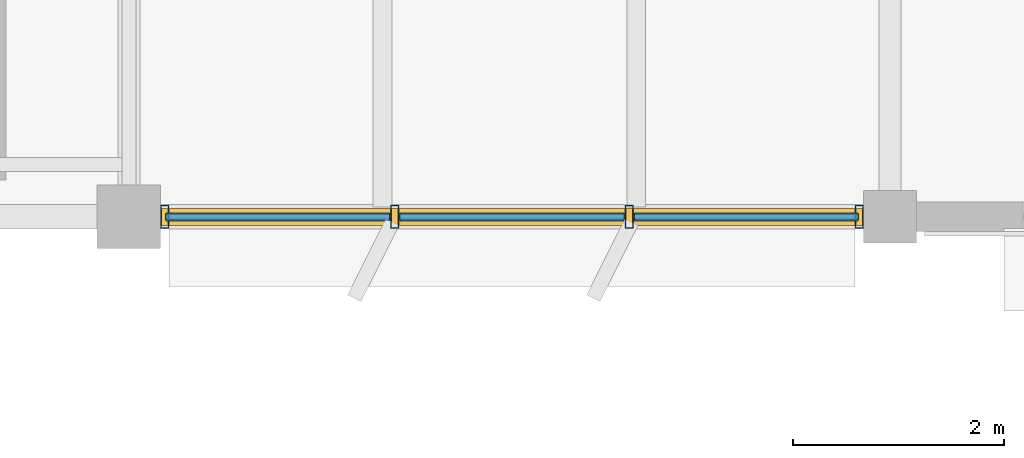
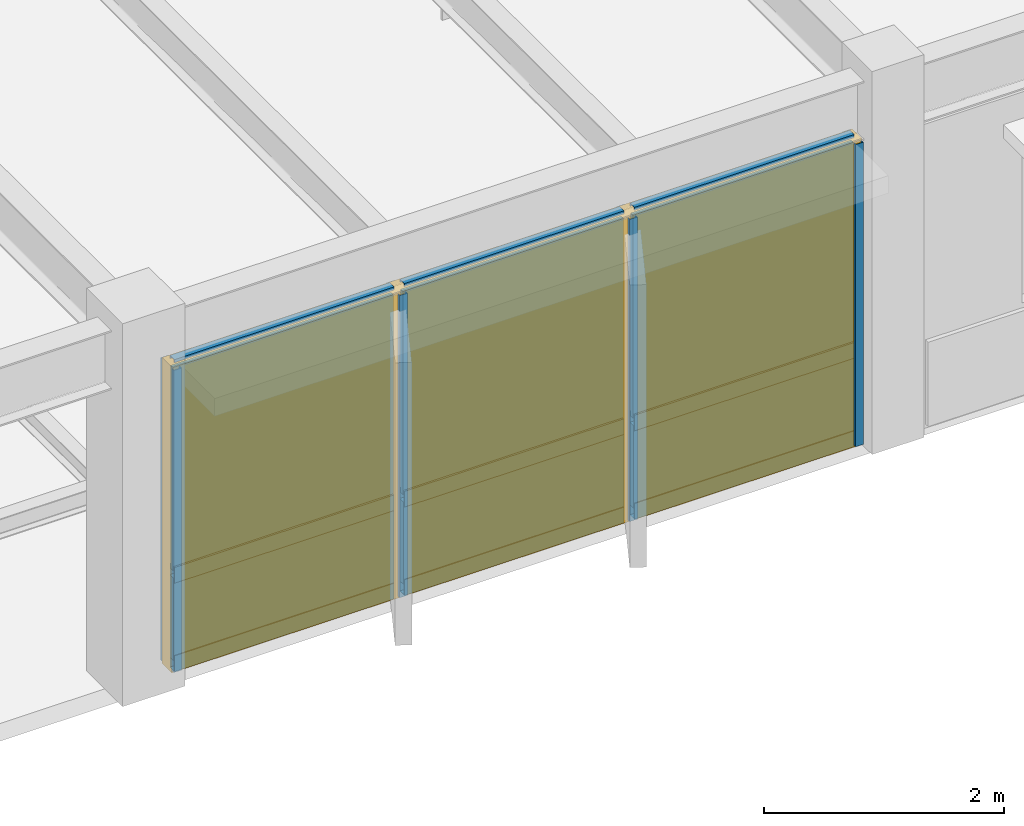
# One storey, part 61 of 82: 13 members, 6 plates, 1 curtain wall.
"""IFC4 building model written with IfcOpenShell, lengths in metres."""

from ifc_helpers import new_model, si_unit, direction, frame, origin, origin_2d, place, context, subcontext, project, spatial, rectangle, hollow_rectangle, extrude, material, layer, layer_set, material_profile, profile_set, type_object, element, aggregate, save


model = new_model("IFC4")

# Units and contexts
model_context = context("Model", 3, precision=1e-05, world=origin(), true_north=direction((0.0, 1.0)))
body_context = subcontext(model_context, "Body", "Model", "MODEL_VIEW")
ifc_project = project(units=[si_unit("LENGTHUNIT", "METRE"), si_unit("AREAUNIT", "SQUARE_METRE"), si_unit("VOLUMEUNIT", "CUBIC_METRE"), si_unit("PLANEANGLEUNIT", "RADIAN"), si_unit("MASSUNIT", "GRAM", prefix="KILO")], contexts=[model_context])

# Member
ifc_material_1 = material(Name="Anodized Aluminium 6063-T6", Category="aluminium")
ifc_material_profile_1 = material_profile(ifc_material_1, hollow_rectangle(XDim=0.074951171875, YDim=0.219970703125, WallThickness=0.0048828125, at=origin_2d()), Name="ALU 75x220x5")
ifc_profile_set_1 = profile_set([ifc_material_profile_1], Name="Anodized Aluminium 6063-T6")
member_type_1 = type_object("IfcMemberType", Name="CWM-75X180", PredefinedType="MULLION", material=ifc_profile_set_1)
site_placement = place(None, origin())
building_placement = place(site_placement, origin())
storey_placement = place(building_placement, frame((0.0, 0.0, 14.10009765625)))
member_1_placement = place(storey_placement, frame((100.510009765625, 79.199951171875, 0.02001953125), z_axis=(0.0, 0.0, 1.0), x_axis=(1.0, 0.0, 0.0)))
member_1 = element("IfcMember", 1, at=member_1_placement, type_object=member_type_1, Name="Curtain wall mullion CW-L04-13-11-S-00", PredefinedType="MULLION", context=body_context, shape_type="SweptSolid", body=[
    extrude(hollow_rectangle(XDim=0.074951171875, YDim=0.219970703125, WallThickness=0.0048828125, at=origin_2d()), origin(), (0.0, 0.0, 1.0), 3.077880859375),
])

member_2_placement = place(storey_placement, frame((98.333251953125, 79.199951171875, 0.02001953125), z_axis=(0.0, 0.0, 1.0), x_axis=(1.0, 0.0, 0.0)))
member_2 = element("IfcMember", 2, at=member_2_placement, type_object=member_type_1, Name="Curtain wall mullion CW-L04-13-11-S-01", PredefinedType="MULLION", context=body_context, shape_type="SweptSolid", body=[
    extrude(hollow_rectangle(XDim=0.074951171875, YDim=0.219970703125, WallThickness=0.0048828125, at=origin_2d()), origin(), (0.0, 0.0, 1.0), 3.077880859375),
])

member_3_placement = place(storey_placement, frame((96.11669921875, 79.199951171875, 0.02001953125), z_axis=(0.0, 0.0, 1.0), x_axis=(1.0, 0.0, 0.0)))
member_3 = element("IfcMember", 3, at=member_3_placement, type_object=member_type_1, Name="Curtain wall mullion CW-L04-13-11-S-02", PredefinedType="MULLION", context=body_context, shape_type="SweptSolid", body=[
    extrude(hollow_rectangle(XDim=0.074951171875, YDim=0.219970703125, WallThickness=0.0048828125, at=origin_2d()), origin(), (0.0, 0.0, 1.0), 3.077880859375),
])

member_4_placement = place(storey_placement, frame((93.93994140625, 79.199951171875, 0.02001953125), z_axis=(0.0, 0.0, 1.0), x_axis=(1.0, 0.0, 0.0)))
member_4 = element("IfcMember", 4, at=member_4_placement, type_object=member_type_1, Name="Curtain wall mullion CW-L04-13-11-S-03", PredefinedType="MULLION", context=body_context, shape_type="SweptSolid", body=[
    extrude(hollow_rectangle(XDim=0.074951171875, YDim=0.219970703125, WallThickness=0.0048828125, at=origin_2d()), origin(), (0.0, 0.0, 1.0), 3.077880859375),
])

ifc_material_profile_2 = material_profile(ifc_material_1, hollow_rectangle(XDim=0.074951171875, YDim=0.159912109375, WallThickness=0.00390625, at=origin_2d()), Name="ALU 75x160x4")
ifc_profile_set_2 = profile_set([ifc_material_profile_2], Name="Anodized Aluminium 6063-T6")
member_type_2 = type_object("IfcMemberType", Name="CWT-75X150", PredefinedType="USERDEFINED", material=ifc_profile_set_2)
member_5_placement = place(storey_placement, frame((100.5, 79.199951171875, 0.0498046875), z_axis=(-1.0, 0.0, 0.0), x_axis=(0.0, -1.0, 0.0)))
member_5 = element("IfcMember", 5, at=member_5_placement, type_object=member_type_2, Name="Curtain wall transom CW-L04-13-11-S-1.01", ObjectType="TRANSOM", PredefinedType="USERDEFINED", context=body_context, shape_type="SweptSolid", body=[
    extrude(hollow_rectangle(XDim=0.074951171875, YDim=0.159912109375, WallThickness=0.00390625, at=origin_2d()), origin(), (0.0, 0.0, 1.0), 2.11669921875),
])

member_6_placement = place(storey_placement, frame((98.283203125, 79.199951171875, 0.0498046875), z_axis=(-1.0, 0.0, 0.0), x_axis=(0.0, -1.0, 0.0)))
member_6 = element("IfcMember", 6, at=member_6_placement, type_object=member_type_2, Name="Curtain wall transom CW-L04-13-11-S-1.02", ObjectType="TRANSOM", PredefinedType="USERDEFINED", context=body_context, shape_type="SweptSolid", body=[
    extrude(hollow_rectangle(XDim=0.074951171875, YDim=0.159912109375, WallThickness=0.00390625, at=origin_2d()), origin(), (0.0, 0.0, 1.0), 2.116455078125),
])

member_7_placement = place(storey_placement, frame((96.066650390625, 79.199951171875, 0.0498046875), z_axis=(-1.0, 0.0, 0.0), x_axis=(0.0, -1.0, 0.0)))
member_7 = element("IfcMember", 7, at=member_7_placement, type_object=member_type_2, Name="Curtain wall transom CW-L04-13-11-S-1.03", ObjectType="TRANSOM", PredefinedType="USERDEFINED", context=body_context, shape_type="SweptSolid", body=[
    extrude(hollow_rectangle(XDim=0.074951171875, YDim=0.159912109375, WallThickness=0.00390625, at=origin_2d()), origin(), (0.0, 0.0, 1.0), 2.11669921875),
])

member_8_placement = place(storey_placement, frame((100.5, 79.199951171875, 0.949951171875), z_axis=(-1.0, 0.0, 0.0), x_axis=(0.0, -1.0, 0.0)))
member_8 = element("IfcMember", 8, at=member_8_placement, type_object=member_type_2, Name="Curtain wall transom CW-L04-13-11-S-2.01", ObjectType="TRANSOM", PredefinedType="USERDEFINED", context=body_context, shape_type="SweptSolid", body=[
    extrude(hollow_rectangle(XDim=0.074951171875, YDim=0.159912109375, WallThickness=0.00390625, at=origin_2d()), origin(), (0.0, 0.0, 1.0), 2.11669921875),
])

member_9_placement = place(storey_placement, frame((98.283203125, 79.199951171875, 0.949951171875), z_axis=(-1.0, 0.0, 0.0), x_axis=(0.0, -1.0, 0.0)))
member_9 = element("IfcMember", 9, at=member_9_placement, type_object=member_type_2, Name="Curtain wall transom CW-L04-13-11-S-2.02", ObjectType="TRANSOM", PredefinedType="USERDEFINED", context=body_context, shape_type="SweptSolid", body=[
    extrude(hollow_rectangle(XDim=0.074951171875, YDim=0.159912109375, WallThickness=0.00390625, at=origin_2d()), origin(), (0.0, 0.0, 1.0), 2.116455078125),
])

member_10_placement = place(storey_placement, frame((96.066650390625, 79.199951171875, 0.949951171875), z_axis=(-1.0, 0.0, 0.0), x_axis=(0.0, -1.0, 0.0)))
member_10 = element("IfcMember", 10, at=member_10_placement, type_object=member_type_2, Name="Curtain wall transom CW-L04-13-11-S-2.03", ObjectType="TRANSOM", PredefinedType="USERDEFINED", context=body_context, shape_type="SweptSolid", body=[
    extrude(hollow_rectangle(XDim=0.074951171875, YDim=0.159912109375, WallThickness=0.00390625, at=origin_2d()), origin(), (0.0, 0.0, 1.0), 2.11669921875),
])

member_11_placement = place(storey_placement, frame((100.5, 79.199951171875, 3.06787109375), z_axis=(-1.0, 0.0, 0.0), x_axis=(0.0, -1.0, 0.0)))
member_11 = element("IfcMember", 11, at=member_11_placement, type_object=member_type_2, Name="Curtain wall transom CW-L04-13-11-S-3.01", ObjectType="TRANSOM", PredefinedType="USERDEFINED", context=body_context, shape_type="SweptSolid", body=[
    extrude(hollow_rectangle(XDim=0.074951171875, YDim=0.159912109375, WallThickness=0.00390625, at=origin_2d()), origin(), (0.0, 0.0, 1.0), 2.11669921875),
])

member_12_placement = place(storey_placement, frame((98.283203125, 79.199951171875, 3.06787109375), z_axis=(-1.0, 0.0, 0.0), x_axis=(0.0, -1.0, 0.0)))
member_12 = element("IfcMember", 12, at=member_12_placement, type_object=member_type_2, Name="Curtain wall transom CW-L04-13-11-S-3.02", ObjectType="TRANSOM", PredefinedType="USERDEFINED", context=body_context, shape_type="SweptSolid", body=[
    extrude(hollow_rectangle(XDim=0.074951171875, YDim=0.159912109375, WallThickness=0.00390625, at=origin_2d()), origin(), (0.0, 0.0, 1.0), 2.116455078125),
])

member_13_placement = place(storey_placement, frame((96.066650390625, 79.199951171875, 3.06787109375), z_axis=(-1.0, 0.0, 0.0), x_axis=(0.0, -1.0, 0.0)))
member_13 = element("IfcMember", 13, at=member_13_placement, type_object=member_type_2, Name="Curtain wall transom CW-L04-13-11-S-3.03", ObjectType="TRANSOM", PredefinedType="USERDEFINED", context=body_context, shape_type="SweptSolid", body=[
    extrude(hollow_rectangle(XDim=0.074951171875, YDim=0.159912109375, WallThickness=0.00390625, at=origin_2d()), origin(), (0.0, 0.0, 1.0), 2.11669921875),
])

# Plate
ifc_material_2 = material(Name="Acoustic Laminated Low-E Glazing", Category="glass")
ifc_layer_1 = layer(ifc_material_2, 0.0439453125)
ifc_layer_set_1 = layer_set([ifc_layer_1], Name="Acoustic Laminated Low-E Glazing")
plate_type_1 = type_object("IfcPlateType", Name="CWP-IGU-44", PredefinedType="CURTAIN_PANEL", material=ifc_layer_set_1)
plate_1_placement = place(storey_placement, frame((99.441650390625, 79.199951171875, 0.98974609375), z_axis=(0.0, 0.0, 1.0), x_axis=(-1.0, 0.0, 0.0)))
plate_1 = element("IfcPlate", 14, at=plate_1_placement, type_object=plate_type_1, Name="Curtain wall vision glazing CW-L04-13-11-S-01", PredefinedType="CURTAIN_PANEL", context=body_context, shape_type="SweptSolid", body=[
    extrude(rectangle(XDim=2.126708984375, YDim=0.0400390625, at=origin_2d()), origin(), (0.0, 0.0, 1.0), 2.068115234375),
])

plate_2_placement = place(storey_placement, frame((97.22509765625, 79.199951171875, 0.98974609375), z_axis=(0.0, 0.0, 1.0), x_axis=(-1.0, 0.0, 0.0)))
plate_2 = element("IfcPlate", 15, at=plate_2_placement, type_object=plate_type_1, Name="Curtain wall vision glazing CW-L04-13-11-S-02", PredefinedType="CURTAIN_PANEL", context=body_context, shape_type="SweptSolid", body=[
    extrude(rectangle(XDim=2.126708984375, YDim=0.0400390625, at=origin_2d()), origin(), (0.0, 0.0, 1.0), 2.068115234375),
])

plate_3_placement = place(storey_placement, frame((95.00830078125, 79.199951171875, 0.98974609375), z_axis=(0.0, 0.0, 1.0), x_axis=(-1.0, 0.0, 0.0)))
plate_3 = element("IfcPlate", 16, at=plate_3_placement, type_object=plate_type_1, Name="Curtain wall vision glazing CW-L04-13-11-S-03", PredefinedType="CURTAIN_PANEL", context=body_context, shape_type="SweptSolid", body=[
    extrude(rectangle(XDim=2.126708984375, YDim=0.0400390625, at=origin_2d()), origin(), (0.0, 0.0, 1.0), 2.068115234375),
])

ifc_material_3 = material(Name="Insulated Stone-Composite Spandrel", Category="masonry")
ifc_layer_2 = layer(ifc_material_3, 0.068115234375)
ifc_layer_set_2 = layer_set([ifc_layer_2], Name="Insulated Stone-Composite Spandrel")
plate_type_2 = type_object("IfcPlateType", Name="CWP-SPN-68", PredefinedType="CURTAIN_PANEL", material=ifc_layer_set_2)
plate_4_placement = place(storey_placement, frame((99.441650390625, 79.199951171875, 0.080078125), z_axis=(0.0, 0.0, 1.0), x_axis=(-1.0, 0.0, 0.0)))
plate_4 = element("IfcPlate", 17, at=plate_4_placement, type_object=plate_type_2, Name="Curtain wall spandrel panel CW-L04-13-11-S-01", PredefinedType="CURTAIN_PANEL", context=body_context, shape_type="SweptSolid", body=[
    extrude(rectangle(XDim=2.126708984375, YDim=0.06005859375, at=origin_2d()), origin(), (0.0, 0.0, 1.0), 0.840087890625),
])

plate_5_placement = place(storey_placement, frame((97.22509765625, 79.199951171875, 0.080078125), z_axis=(0.0, 0.0, 1.0), x_axis=(-1.0, 0.0, 0.0)))
plate_5 = element("IfcPlate", 18, at=plate_5_placement, type_object=plate_type_2, Name="Curtain wall spandrel panel CW-L04-13-11-S-02", PredefinedType="CURTAIN_PANEL", context=body_context, shape_type="SweptSolid", body=[
    extrude(rectangle(XDim=2.126708984375, YDim=0.06005859375, at=origin_2d()), origin(), (0.0, 0.0, 1.0), 0.840087890625),
])

plate_6_placement = place(storey_placement, frame((95.00830078125, 79.199951171875, 0.080078125), z_axis=(0.0, 0.0, 1.0), x_axis=(-1.0, 0.0, 0.0)))
plate_6 = element("IfcPlate", 19, at=plate_6_placement, type_object=plate_type_2, Name="Curtain wall spandrel panel CW-L04-13-11-S-03", PredefinedType="CURTAIN_PANEL", context=body_context, shape_type="SweptSolid", body=[
    extrude(rectangle(XDim=2.126708984375, YDim=0.06005859375, at=origin_2d()), origin(), (0.0, 0.0, 1.0), 0.840087890625),
])

# Site, building, storey
site = spatial("IfcSite", under=ifc_project, at=site_placement, CompositionType="ELEMENT")
building = spatial("IfcBuilding", under=site, at=building_placement, Name="Sillqori Civic Hall", CompositionType="ELEMENT")
storey = spatial("IfcBuildingStorey", under=building, at=storey_placement, Name="L04", CompositionType="ELEMENT", Elevation=14.10009765625)

# Curtain wall
ifc_material_4 = material(Name="Anodized Aluminium Curtain Wall System", Category="aluminium")
curtain_wall_type = type_object("IfcCurtainWallType", Name="CW-AD-370", PredefinedType="NOTDEFINED", material=ifc_material_4)
curtain_wall_placement = place(storey_placement, frame((97.22509765625, 79.199951171875, 0.0), z_axis=(0.0, 0.0, 1.0), x_axis=(-1.0, 0.0, 0.0)))
curtain_wall = element("IfcCurtainWall", 20, at=curtain_wall_placement, inside=storey, type_object=curtain_wall_type, Name="L04 unitised curtain wall CW-L04-13-11-S", PredefinedType="NOTDEFINED", context=body_context, shape_type="SweptSolid", body=[
    extrude(rectangle(XDim=6.64990234375, YDim=0.159912109375, at=origin_2d()), origin(), (0.0, 0.0, 1.0), 3.117919921875),
])

aggregate(curtain_wall, [member_1, member_2, member_3, member_4, member_5, member_6, member_7, member_8, member_9, member_10, member_11, member_12, member_13, plate_4, plate_1, plate_5, plate_2, plate_6, plate_3])

save(model, "model.ifc")
